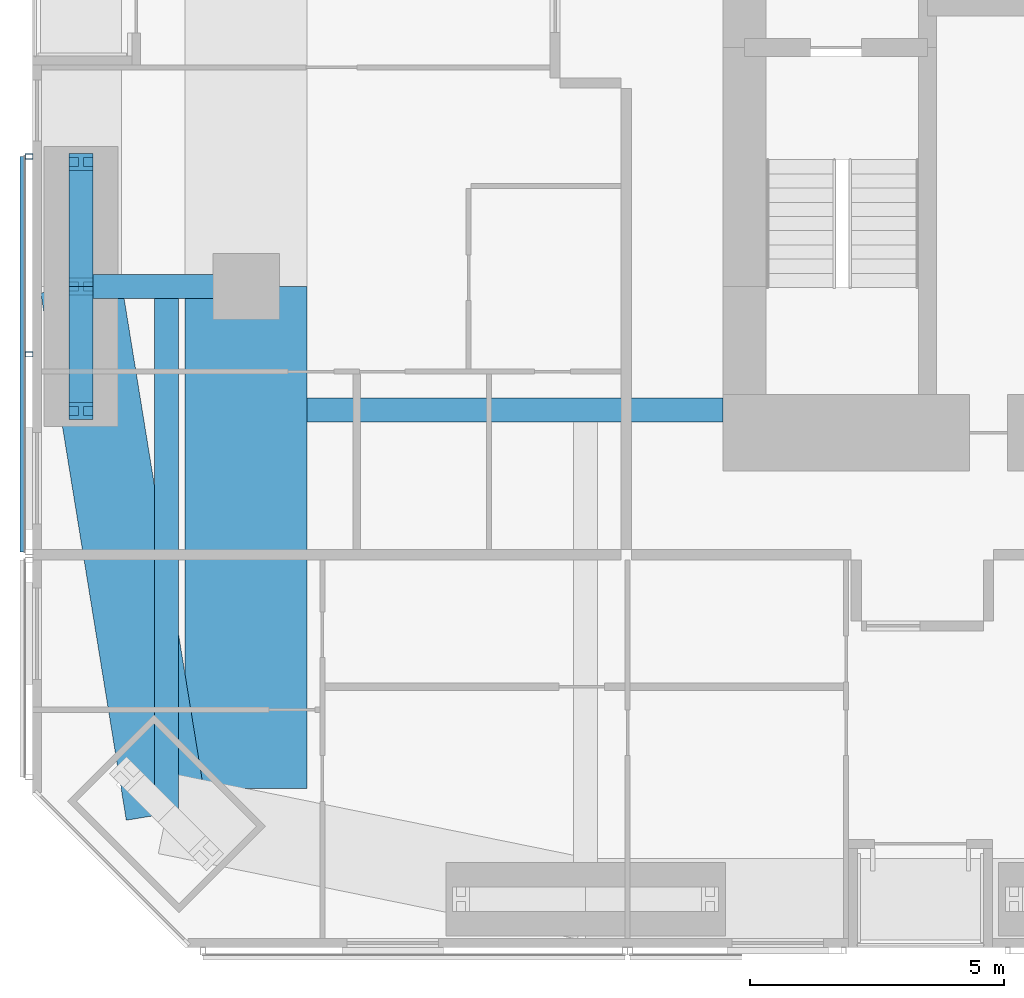
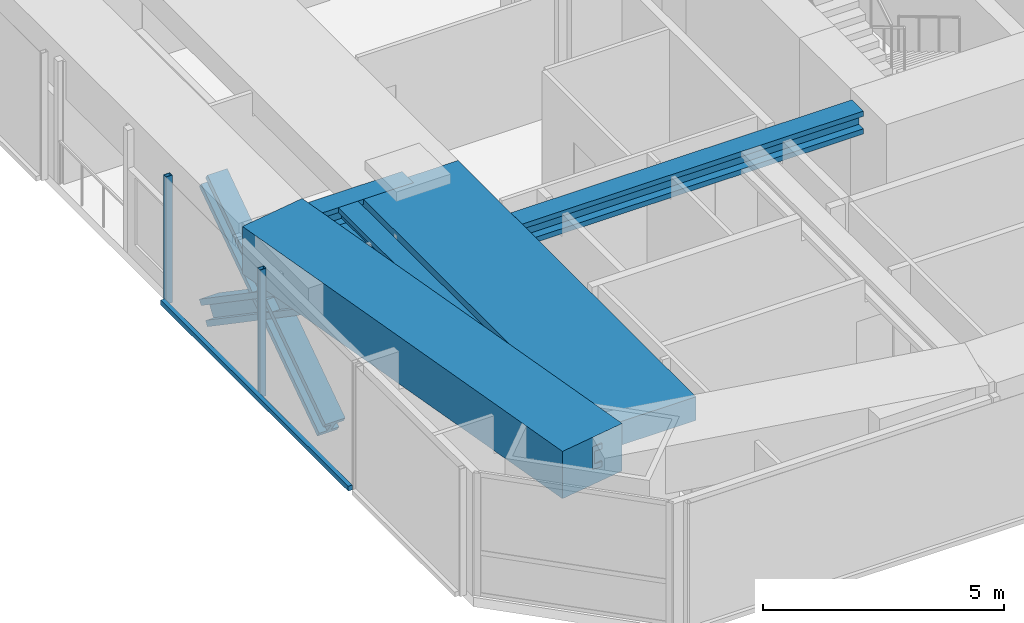
# One storey, part 3 of 23: 7 members, 5 beams, 1 element without a shape of its own.
"""IFC4 building model written with IfcOpenShell, lengths in metres."""

from ifc_helpers import new_model, si_unit, direction, frame, origin, origin_2d, place, context, subcontext, project, spatial, rectangle, hollow_rectangle, i_section, extrude, material, material_profile, profile_set, type_object, element, aggregate, save


model = new_model("IFC4")

# Units and contexts
model_context = context("Model", 3, precision=1e-05, world=origin(), true_north=direction((0.0, 1.0)))
body_context = subcontext(model_context, "Body", "Model", "MODEL_VIEW")
ifc_project = project(units=[si_unit("LENGTHUNIT", "METRE"), si_unit("AREAUNIT", "SQUARE_METRE"), si_unit("VOLUMEUNIT", "CUBIC_METRE"), si_unit("PLANEANGLEUNIT", "RADIAN"), si_unit("MASSUNIT", "GRAM", prefix="KILO")], contexts=[model_context])

# Site, building, storey
site_placement = place(None, origin())
site = spatial("IfcSite", under=ifc_project, at=site_placement, CompositionType="ELEMENT")
building_placement = place(site_placement, origin())
building = spatial("IfcBuilding", under=site, at=building_placement, Name="Jalousie Tower", CompositionType="ELEMENT")
storey_placement = place(building_placement, frame((0.0, 0.0, 88.10009765625)))
storey = spatial("IfcBuildingStorey", under=building, at=storey_placement, Name="L23", CompositionType="ELEMENT", Elevation=88.10009765625)

# Beams
ifc_material_1 = material(Name="Steel ASTM A992 Grade 50", Category="steel")
ifc_material_profile_1 = material_profile(ifc_material_1, i_section(OverallWidth=0.472412109375, OverallDepth=0.5791015625, WebThickness=0.094970703125, FlangeThickness=0.1298828125, at=origin_2d()), Name="W14X808")
ifc_profile_set_1 = profile_set([ifc_material_profile_1], Name="Steel ASTM A992 Grade 50")
beam_type_1 = type_object("IfcBeamType", Name="LEAN COLLECTOR W14X808", PredefinedType="BEAM", material=ifc_profile_set_1)
beam_1_placement = place(storey_placement, frame((6.949951171875, 13.0, 2.8203125), z_axis=(1.0, 0.0, 0.0), x_axis=(0.0, 1.0, 0.0)))
element("IfcBeam", 1, at=beam_1_placement, inside=storey, type_object=beam_type_1, Name="Lean collector under L24", PredefinedType="BEAM", context=body_context, shape_type="SweptSolid", body=[
    extrude(i_section(OverallWidth=0.472412109375, OverallDepth=0.5791015625, WebThickness=0.094970703125, FlangeThickness=0.1298828125, at=origin_2d()), origin(), (0.0, 0.0, 1.0), 3.25),
])
beam_2_placement = place(storey_placement, frame((11.39990234375, 10.574951171875, 2.8203125), z_axis=(1.0, 0.0, 0.0), x_axis=(0.0, 1.0, 0.0)))
element("IfcBeam", 2, at=beam_2_placement, inside=storey, type_object=beam_type_1, Name="Lean collector under L24", PredefinedType="BEAM", context=body_context, shape_type="SweptSolid", body=[
    extrude(i_section(OverallWidth=0.472412109375, OverallDepth=0.5791015625, WebThickness=0.094970703125, FlangeThickness=0.1298828125, at=origin_2d()), origin(), (0.0, 0.0, 1.0), 8.175048828125),
])
beam_3_placement = place(storey_placement, frame((8.63134765625, 2.63134765625, 2.8203125), z_axis=(0.0, 1.0, 0.0), x_axis=(-1.0, 0.0, 0.0)))
element("IfcBeam", 3, at=beam_3_placement, inside=storey, type_object=beam_type_1, Name="Lean collector under L24", PredefinedType="BEAM", context=body_context, shape_type="SweptSolid", body=[
    extrude(i_section(OverallWidth=0.472412109375, OverallDepth=0.5791015625, WebThickness=0.094970703125, FlangeThickness=0.1298828125, at=origin_2d()), origin(), (0.0, 0.0, 1.0), 10.36865234375),
])

# Members
ifc_material_2 = material(Name="Steel ASTM A992 Grade 50", Category="steel")
ifc_material_profile_2 = material_profile(ifc_material_2, i_section(OverallWidth=0.4775390625, OverallDepth=0.599365234375, WebThickness=0.10009765625, FlangeThickness=0.139892578125, at=origin_2d()), Name="W14X873")
ifc_profile_set_2 = profile_set([ifc_material_profile_2], Name="Steel ASTM A992 Grade 50")
member_type_1 = type_object("IfcMemberType", Name="PERIMETER BRACE W14X873", PredefinedType="BRACE", material=ifc_profile_set_2)
for number, where, z_axis, x_axis, name in (
    (4, (6.949951171875, 10.550048828125, -0.60009765625), (0.0, 0.825500916831, 0.564400776321), (-1.0, 0.0, 0.0), "Perimeter brace 14 L23 part 1"),
    (5, (6.949951171875, 13.0, 1.074951171875), (0.0, 0.825500916831, 0.564400776321), (-1.0, 0.0, 0.0), "Perimeter brace 14 L23 part 2"),
    (6, (6.949951171875, 15.449951171875, -0.60009765625), (0.0, -0.825500916831, 0.564400776321), (1.0, 0.0, 0.0), "Perimeter brace 14 L23 part 3"),
    (7, (6.949951171875, 13.0, 1.074951171875), (0.0, -0.825500916831, 0.564400776321), (1.0, 0.0, 0.0), "Perimeter brace 14 L23 part 4"),
):
    element("IfcMember", number, at=place(storey_placement, frame(where, z_axis=z_axis, x_axis=x_axis)), inside=storey, type_object=member_type_1, Name=name, PredefinedType="BRACE", context=body_context, shape_type="SweptSolid", body=[
        extrude(i_section(OverallWidth=0.4775390625, OverallDepth=0.599365234375, WebThickness=0.10009765625, FlangeThickness=0.139892578125, at=origin_2d()), origin(), (0.0, 0.0, 1.0), 2.9677734375),
    ])

# Beams
ifc_material_3 = material(Name="Concrete f'c 40 MPa", Category="concrete")
ifc_material_profile_3 = material_profile(ifc_material_3, rectangle(XDim=1.60009765625, YDim=1.199951171875, at=origin_2d()), Name="RC 1600x1200")
ifc_profile_set_3 = profile_set([ifc_material_profile_3], Name="Concrete f'c 40 MPa")
beam_type_2 = type_object("IfcBeamType", Name="RC BEAM 1600x1200", PredefinedType="BEAM", material=ifc_profile_set_3)
beam_4_placement = place(storey_placement, frame((6.949951171875, 13.0, 2.75), z_axis=(0.160070546476, -0.987105577003, 0.0), x_axis=(0.987105577003, 0.160070546476, 0.0)))
element("IfcBeam", 8, at=beam_4_placement, inside=storey, type_object=beam_type_2, Name="Edge band beam 14-01 under L24", PredefinedType="BEAM", context=body_context, shape_type="SweptSolid", body=[
    extrude(rectangle(XDim=1.60009765625, YDim=1.199951171875, at=origin_2d()), origin(), (0.0, 0.0, 1.0), 10.504150390625),
])
ifc_material_4 = material(Name="Concrete f'c 40 MPa", Category="concrete")
ifc_material_profile_4 = material_profile(ifc_material_4, rectangle(XDim=2.39990234375, YDim=0.60009765625, at=origin_2d()), Name="RC 2400x600")
ifc_profile_set_4 = profile_set([ifc_material_profile_4], Name="Concrete f'c 40 MPa")
beam_type_3 = type_object("IfcBeamType", Name="RC BEAM 2400x600", PredefinedType="BEAM", material=ifc_profile_set_4)
beam_5_placement = place(storey_placement, frame((10.199951171875, 13.0, 2.809814453125), z_axis=(0.0, -1.0, 0.0), x_axis=(1.0, 0.0, 0.0)))
element("IfcBeam", 9, at=beam_5_placement, inside=storey, type_object=beam_type_3, Name="Floor band beam under L24", PredefinedType="BEAM", context=body_context, shape_type="SweptSolid", body=[
    extrude(rectangle(XDim=2.39990234375, YDim=0.60009765625, at=origin_2d()), origin(), (0.0, 0.0, 1.0), 9.8720703125),
])

# Curtain wall, members
ifc_material_5 = material(Name="Perforated aluminium sheet", Category="aluminium")
curtain_wall_type = type_object("IfcCurtainWallType", Name="SOLAR SCREEN SS-1", PredefinedType="USERDEFINED", material=ifc_material_5)
curtain_wall_placement = place(storey_placement, origin())
curtain_wall = element("IfcCurtainWall", 10, at=curtain_wall_placement, inside=storey, type_object=curtain_wall_type, Name="Solar screen L23", ObjectType="SOLAR SCREEN SS-1", PredefinedType="USERDEFINED")
ifc_material_6 = material(Name="Steel ASTM A500 Grade C", Category="steel")
ifc_material_profile_5 = material_profile(ifc_material_6, hollow_rectangle(XDim=0.1015625, YDim=0.15234375, WallThickness=0.00634765625, at=origin_2d()), Name="HSS6X4X1/4")
ifc_profile_set_5 = profile_set([ifc_material_profile_5], Name="Steel ASTM A500 Grade C")
member_type_2 = type_object("IfcMemberType", Name="SOLAR SCREEN SS-1 MULLION", PredefinedType="MULLION", material=ifc_profile_set_5)
member_1_placement = place(storey_placement, frame((5.9287109375, 15.55810546875, -0.1201171875), z_axis=(0.0, 0.0, 1.0), x_axis=(0.0, -1.0, 0.0)))
member_1 = element("IfcMember", 11, at=member_1_placement, type_object=member_type_2, Name="SS1 post 1", PredefinedType="MULLION", context=body_context, shape_type="SweptSolid", body=[
    extrude(hollow_rectangle(XDim=0.1015625, YDim=0.15234375, WallThickness=0.00634765625, at=origin_2d()), origin(), (0.0, 0.0, 1.0), 3.22998046875),
])
member_2_placement = place(storey_placement, frame((5.9287109375, 11.66650390625, -0.1201171875), z_axis=(0.0, 0.0, 1.0), x_axis=(0.0, -1.0, 0.0)))
member_2 = element("IfcMember", 12, at=member_2_placement, type_object=member_type_2, Name="SS1 post 2", PredefinedType="MULLION", context=body_context, shape_type="SweptSolid", body=[
    extrude(hollow_rectangle(XDim=0.1015625, YDim=0.15234375, WallThickness=0.00634765625, at=origin_2d()), origin(), (0.0, 0.0, 1.0), 3.22998046875),
])
ifc_material_7 = material(Name="Extruded aluminium screen rail", Category="aluminium")
ifc_material_profile_6 = material_profile(ifc_material_7, rectangle(XDim=0.1015625, YDim=0.1201171875, at=origin_2d()), Name="RAIL 102x120")
ifc_profile_set_6 = profile_set([ifc_material_profile_6], Name="Extruded aluminium screen rail")
member_type_3 = type_object("IfcMemberType", Name="SOLAR SCREEN SS-1 TRANSOM", PredefinedType="USERDEFINED", material=ifc_profile_set_6)
member_3_placement = place(storey_placement, frame((5.8017578125, 15.55810546875, -0.06005859375), z_axis=(0.0, -1.0, 0.0), x_axis=(1.0, 0.0, 0.0)))
member_3 = element("IfcMember", 13, at=member_3_placement, type_object=member_type_3, Name="SS1 rail", ObjectType="TRANSOM", PredefinedType="USERDEFINED", context=body_context, shape_type="SweptSolid", body=[
    extrude(rectangle(XDim=0.1015625, YDim=0.1201171875, at=origin_2d()), origin(), (0.0, 0.0, 1.0), 7.783203125),
])
aggregate(curtain_wall, [member_1, member_2, member_3])

save(model, "model.ifc")
